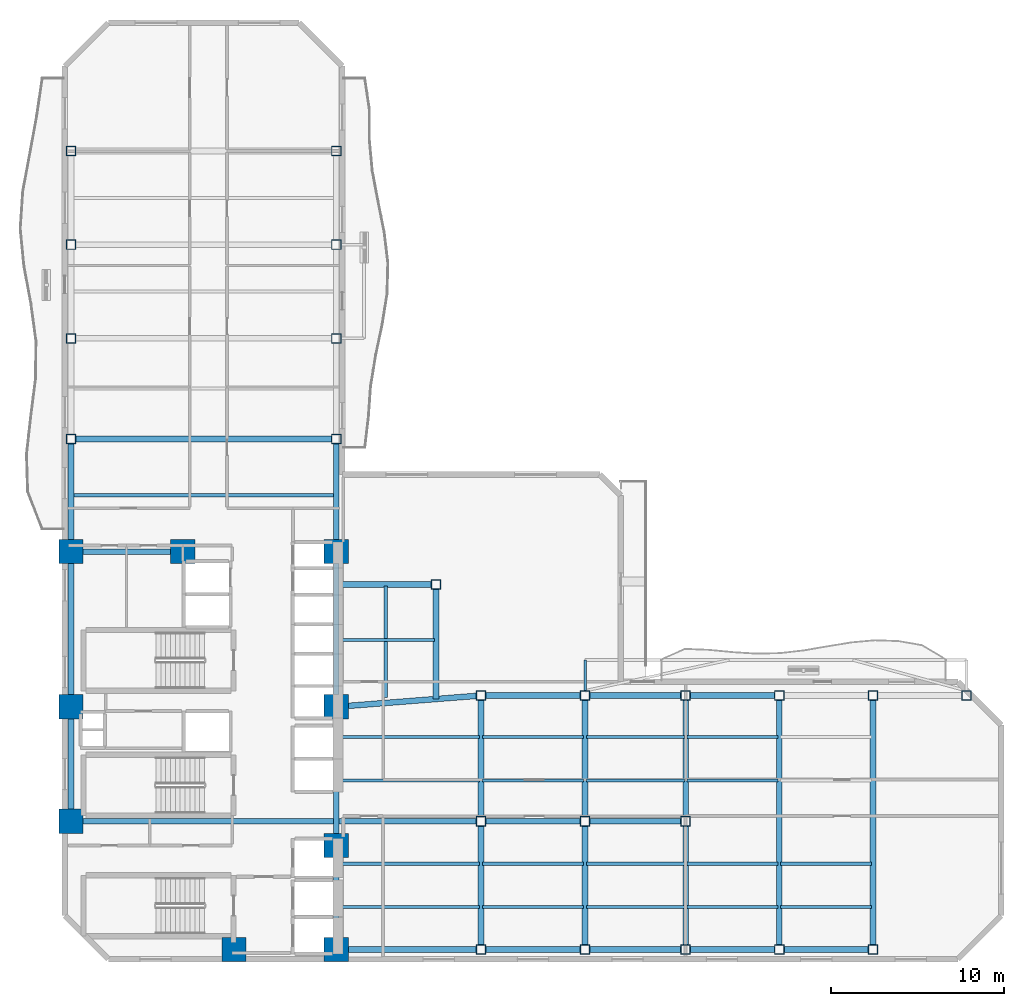
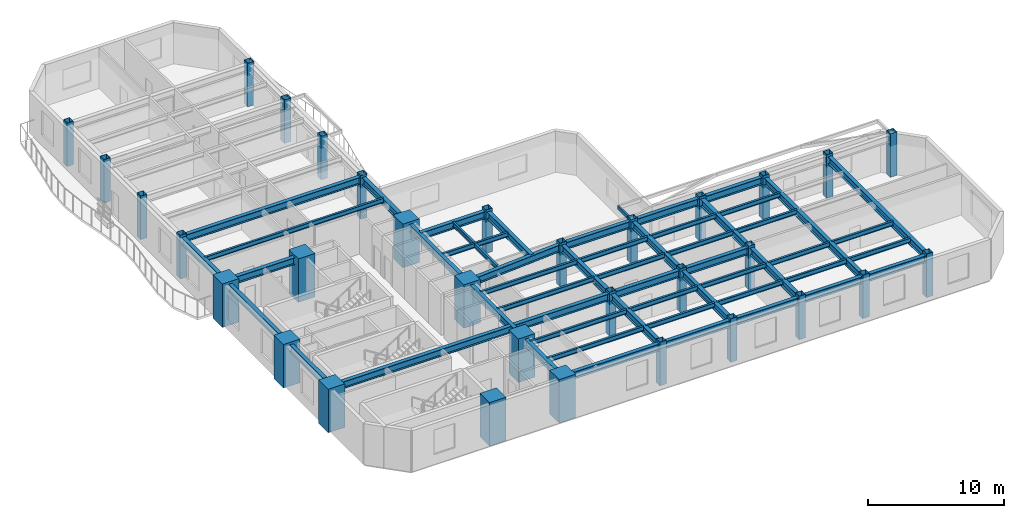
# One storey, part 1 of 10: 53 beams, 32 columns.
"""IFC4 building model written with IfcOpenShell, lengths in metres."""

import ifcopenshell
import ifcopenshell.guid

model = None  # the IFC model being written
_history = None  # IfcOwnerHistory: only IFC2X3 demands one
_inside = {}  # id of a spatial element -> (the spatial element, [elements in it])
_under = {}  # id of a project, library or spatial element -> (it, [spatial elements below it])
_declared = {}  # id of a project -> (the project, [libraries it declares])
_typed = {}  # id of a type object -> (the type object, [elements of that type])
_made_of = {}  # id of a material, layer set ... -> (it, [elements and type objects made of it])


def new_model(schema):
    """Start an empty IFC model of exactly this schema.

    Asked for "IFC4X3", IfcOpenShell would pick the latest addendum, in which some entities
    have other attributes; the version numbers below select the first issue.
    IFC2X3 requires an IfcOwnerHistory on every rooted entity: one is made here for all.
    """
    global model, _history
    if schema == "IFC4X3":
        model = ifcopenshell.file(schema_version=(4, 3, 0, 0))
    else:
        model = ifcopenshell.file(schema=schema)
    _inside.clear()
    _under.clear()
    _declared.clear()
    _typed.clear()
    _made_of.clear()
    _history = None
    if model.schema == "IFC2X3":
        org = make("IfcOrganization", Name="unknown")
        user = make(
            "IfcPersonAndOrganization",
            ThePerson=make("IfcPerson", FamilyName="unknown"),
            TheOrganization=org,
        )
        app = make(
            "IfcApplication",
            ApplicationDeveloper=org,
            Version="unknown",
            ApplicationFullName="unknown",
            ApplicationIdentifier="unknown",
        )
        _history = make(
            "IfcOwnerHistory",
            OwningUser=user,
            OwningApplication=app,
            ChangeAction="ADDED",
            CreationDate=0,
        )
    return model


def make(cls, **values):
    """One entity of the class cls with the attributes given. An attribute that is None is left unset."""
    return model.create_entity(
        cls, **{name: value for name, value in values.items() if value is not None}
    )


def rooted(cls, **values):
    """An entity with a GlobalId (a new one), such as an element, a storey or a relation."""
    return make(cls, GlobalId=ifcopenshell.guid.new(), OwnerHistory=_history, **values)


def si_unit(unit_type, name, prefix=None):
    """IfcSIUnit, for example si_unit("LENGTHUNIT", "METRE", prefix="MILLI")."""
    return make("IfcSIUnit", UnitType=unit_type, Prefix=prefix, Name=name)


def assignment(units):
    """IfcUnitAssignment: the units of a project."""
    return None if units is None else make("IfcUnitAssignment", Units=units)


def point(xyz):
    """IfcCartesianPoint."""
    return None if xyz is None else make("IfcCartesianPoint", Coordinates=xyz)


def direction(xyz):
    """IfcDirection."""
    return None if xyz is None else make("IfcDirection", DirectionRatios=xyz)


def frame(location, z_axis=None, x_axis=None):
    """IfcAxis2Placement3D, a coordinate frame: its origin and axes. An axis left out is left unset."""
    return make(
        "IfcAxis2Placement3D",
        Location=point(location),
        Axis=direction(z_axis),
        RefDirection=direction(x_axis),
    )


def frame_2d(location, x_axis=None):
    """IfcAxis2Placement2D, a coordinate frame in the plane: its origin and x axis."""
    return make(
        "IfcAxis2Placement2D", Location=point(location), RefDirection=direction(x_axis)
    )


def origin():
    """The frame at (0, 0, 0) with its axes left unset."""
    return frame((0.0, 0.0, 0.0))


def origin_2d():
    """The frame at (0, 0) in the plane with its x axis left unset."""
    return frame_2d((0.0, 0.0))


def place(relative_to, where):
    """IfcLocalPlacement: puts the frame where relative to a parent placement (None: the world)."""
    return make(
        "IfcLocalPlacement", PlacementRelTo=relative_to, RelativePlacement=where
    )


def context(
    kind, dimensions, precision=None, world=None, true_north=None, identifier=None
):
    """IfcGeometricRepresentationContext, for example the 3D "Model" context."""
    return make(
        "IfcGeometricRepresentationContext",
        ContextIdentifier=identifier,
        ContextType=kind,
        CoordinateSpaceDimension=dimensions,
        Precision=precision,
        WorldCoordinateSystem=world,
        TrueNorth=true_north,
    )


def subcontext(parent, identifier, kind, view, scale=None):
    """IfcGeometricRepresentationSubContext, for example "Body" below "Model"."""
    return make(
        "IfcGeometricRepresentationSubContext",
        ContextIdentifier=identifier,
        ContextType=kind,
        ParentContext=parent,
        TargetScale=scale,
        TargetView=view,
    )


def project(units=None, contexts=None):
    """IfcProject with its units and contexts."""
    return rooted(
        "IfcProject",
        Name="project",
        RepresentationContexts=contexts,
        UnitsInContext=assignment(units),
    )


def spatial(cls, under=None, at=None, **own):
    """A site, building, storey or space (cls), placed at a placement, below another one or the project."""
    s = rooted(cls, ObjectPlacement=at, **own)
    if under is not None:
        _under.setdefault(under.id(), (under, []))[1].append(s)
    return s


def profile(cls, at=None, kind="AREA", **sizes):
    """A parametric profile (cls). Its sizes go by their IFC names, for example OverallWidth=200.0."""
    return make(cls, ProfileType=kind, Position=at, **sizes)


def rectangle(**sizes):
    """IfcRectangleProfileDef."""
    return profile("IfcRectangleProfileDef", **sizes)


def hollow_rectangle(**sizes):
    """IfcRectangleHollowProfileDef."""
    return profile("IfcRectangleHollowProfileDef", **sizes)


def i_section(**sizes):
    """IfcIShapeProfileDef."""
    return profile("IfcIShapeProfileDef", **sizes)


def extrude(swept, where, along, depth):
    """IfcExtrudedAreaSolid: the profile swept, set in the frame where, extruded along a direction by depth."""
    return make(
        "IfcExtrudedAreaSolid",
        SweptArea=swept,
        Position=where,
        ExtrudedDirection=direction(along),
        Depth=depth,
    )


def shape(context_of_items, identifier, shape_type, items):
    """IfcShapeRepresentation: the items that make up one representation, for example the "Body"."""
    return make(
        "IfcShapeRepresentation",
        ContextOfItems=context_of_items,
        RepresentationIdentifier=identifier,
        RepresentationType=shape_type,
        Items=items,
    )


def material(Name=None, Category=None):
    """IfcMaterial."""
    return make("IfcMaterial", Name=Name, Category=Category)


def material_profile(
    of_material, cross_section, Name=None, Category=None, Priority=None
):
    """IfcMaterialProfile: a cross section and its material."""
    return make(
        "IfcMaterialProfile",
        Name=Name,
        Material=of_material,
        Profile=cross_section,
        Priority=Priority,
        Category=Category,
    )


def profile_set(profiles, Name=None, composite=None):
    """IfcMaterialProfileSet."""
    return make(
        "IfcMaterialProfileSet",
        Name=Name,
        MaterialProfiles=profiles,
        CompositeProfile=composite,
    )


def made_of(thing, what):
    """Note that an element or type object is made of a material, layer set ...; save() writes the relation."""
    if what is not None:
        _made_of.setdefault(what.id(), (what, []))[1].append(thing)
    return thing


def type_object(cls, material=None, **own):
    """A type object (cls), such as IfcWallType, which elements share."""
    return made_of(rooted(cls, **own), material)


def element(
    cls,
    number,
    at=None,
    inside=None,
    cuts=None,
    type_object=None,
    material=None,
    context=None,
    identifier="Body",
    shape_type=None,
    held_by="IfcProductDefinitionShape",
    body=None,
    shapes=None,
    **own,
):
    """One element of the class cls, such as IfcWall. Its Tag is "e" and its number.

    at: its placement. inside: the storey or other place that contains it. cuts: it is an
    opening in that element (IfcRelVoidsElement). A single representation is given by context,
    identifier, shape_type and body (its items); several are given by shapes. held_by: the class
    of the entity that holds the representations. save() writes the other relations.
    """
    e = rooted(cls, Tag="e%d" % number, ObjectPlacement=at, **own)
    if body is not None:
        shapes = [shape(context, identifier, shape_type, body)]
    if shapes is not None:
        e.Representation = make(held_by, Representations=shapes)
    if inside is not None:
        _inside.setdefault(inside.id(), (inside, []))[1].append(e)
    if cuts is not None:
        rooted(
            "IfcRelVoidsElement", RelatingBuildingElement=cuts, RelatedOpeningElement=e
        )
    if type_object is not None:
        _typed.setdefault(type_object.id(), (type_object, []))[1].append(e)
    return made_of(e, material)


def aggregate(whole, parts):
    """IfcRelAggregates: a whole, such as a stair, and the parts it consists of."""
    return rooted("IfcRelAggregates", RelatingObject=whole, RelatedObjects=parts)


def save(model, path):
    """Write the relations noted so far, then the file.

    IfcRelAggregates (storeys below a building ...), IfcRelContainedInSpatialStructure (elements
    in a storey), IfcRelDefinesByType, IfcRelAssociatesMaterial and IfcRelDeclares: one each for
    every whole, place, type object, material and project.
    """
    for whole, parts in _under.values():
        aggregate(whole, parts)
    for where, things in _inside.values():
        rooted(
            "IfcRelContainedInSpatialStructure",
            RelatedElements=things,
            RelatingStructure=where,
        )
    for kind, things in _typed.values():
        rooted("IfcRelDefinesByType", RelatedObjects=things, RelatingType=kind)
    for what, things in _made_of.values():
        rooted("IfcRelAssociatesMaterial", RelatedObjects=things, RelatingMaterial=what)
    for by, libraries in _declared.values():
        rooted("IfcRelDeclares", RelatingContext=by, RelatedDefinitions=libraries)
    model.write(path)


model = new_model("IFC4")

# Units and contexts
model_context = context("Model", 3, precision=1e-05, world=origin(), true_north=direction((0.0, 1.0)))
body_context = subcontext(model_context, "Body", "Model", "MODEL_VIEW")
ifc_project = project(units=[si_unit("LENGTHUNIT", "METRE"), si_unit("AREAUNIT", "SQUARE_METRE"), si_unit("VOLUMEUNIT", "CUBIC_METRE"), si_unit("PLANEANGLEUNIT", "RADIAN"), si_unit("MASSUNIT", "GRAM", prefix="KILO")], contexts=[model_context])

# Site, building, storey
site_placement = place(None, origin())
site = spatial("IfcSite", under=ifc_project, at=site_placement, CompositionType="ELEMENT")
building_placement = place(site_placement, origin())
building = spatial("IfcBuilding", under=site, at=building_placement, Name="Mawjaban Terraces University", CompositionType="ELEMENT")
storey_placement = place(building_placement, frame((0.0, 0.0, 42.699951171875)))
storey = spatial("IfcBuildingStorey", under=building, at=storey_placement, Name="L09", CompositionType="ELEMENT", Elevation=42.699951171875)

# Columns
ifc_material_1 = material(Name="Concrete C70/85", Category="concrete")
ifc_material_profile_1 = material_profile(ifc_material_1, rectangle(XDim=1.39990234375, YDim=1.39990234375, at=origin_2d()), Name="RC1400X1400")
ifc_profile_set_1 = profile_set([ifc_material_profile_1], Name="Concrete C70/85")
column_type_1 = type_object("IfcColumnType", Name="Col_RC1400X1400", PredefinedType="COLUMN", material=ifc_profile_set_1)
for number, where, z_axis, x_axis, name in (
    (1, (31.75, 0.550048828125, 0.0), (0.0, 0.0, 1.0), (1.0, 0.0, 0.0), "L09 Column CC2"),
    (2, (37.64990234375, 0.550048828125, 0.0), (0.0, 0.0, 1.0), (1.0, 0.0, 0.0), "L09 Column CC3"),
    (3, (22.35009765625, 7.949951171875, 0.0), (0.0, 0.0, 1.0), (1.0, 0.0, 0.0), "L09 Column CC4"),
    (4, (37.64990234375, 6.550048828125, 0.0), (0.0, 0.0, 1.0), (1.0, 0.0, 0.0), "L09 Column CC5"),
    (5, (22.35009765625, 14.550048828125, 0.0), (0.0, 0.0, 1.0), (1.0, 0.0, 0.0), "L09 Column CC6"),
    (6, (37.64990234375, 14.550048828125, 0.0), (0.0, 0.0, 1.0), (1.0, 0.0, 0.0), "L09 Column CC7"),
    (7, (22.35009765625, 23.5, 0.0), (0.0, 0.0, 1.0), (1.0, 0.0, 0.0), "L09 Column CC8"),
    (8, (28.800048828125, 23.5, 0.0), (0.0, 0.0, 1.0), (1.0, 0.0, 0.0), "L09 Column CC9"),
    (9, (37.64990234375, 23.5, 0.0), (0.0, 0.0, 1.0), (1.0, 0.0, 0.0), "L09 Column CC10"),
):
    element("IfcColumn", number, at=place(storey_placement, frame(where, z_axis=z_axis, x_axis=x_axis)), inside=storey, type_object=column_type_1, Name=name, PredefinedType="COLUMN", context=body_context, shape_type="SweptSolid", body=[
        extrude(rectangle(XDim=1.39990234375, YDim=1.39990234375, at=origin_2d()), origin(), (0.0, 0.0, 1.0), 3.900146484375),
    ])
ifc_material_2 = material(Name="Steel EN 10210-1 S355J2H", Category="steel")
ifc_material_profile_2 = material_profile(ifc_material_2, hollow_rectangle(XDim=0.550048828125, YDim=0.550048828125, WallThickness=0.02490234375, at=origin_2d()), Name="SHS550X550X25")
ifc_profile_set_2 = profile_set([ifc_material_profile_2], Name="Steel EN 10210-1 S355J2H")
column_type_2 = type_object("IfcColumnType", Name="Col_SHS550X550X25", PredefinedType="COLUMN", material=ifc_profile_set_2)
for number, where, z_axis, x_axis, name in (
    (10, (46.0, 0.550048828125, 0.0), (0.0, 0.0, 1.0), (1.0, 0.0, 0.0), "L09 Column TE-460-005"),
    (11, (46.0, 7.949951171875, 0.0), (0.0, 0.0, 1.0), (1.0, 0.0, 0.0), "L09 Column TE-460-080"),
    (12, (46.0, 15.199951171875, 0.0), (0.0, 0.0, 1.0), (1.0, 0.0, 0.0), "L09 Column TE-460-152"),
    (13, (52.0, 0.550048828125, 0.0), (0.0, 0.0, 1.0), (1.0, 0.0, 0.0), "L09 Column TE-520-005"),
    (14, (52.0, 7.949951171875, 0.0), (0.0, 0.0, 1.0), (1.0, 0.0, 0.0), "L09 Column TE-520-080"),
    (15, (52.0, 15.199951171875, 0.0), (0.0, 0.0, 1.0), (1.0, 0.0, 0.0), "L09 Column TE-520-152"),
    (16, (57.800048828125, 0.550048828125, 0.0), (0.0, 0.0, 1.0), (1.0, 0.0, 0.0), "L09 Column TE-578-005"),
    (17, (57.800048828125, 7.949951171875, 0.0), (0.0, 0.0, 1.0), (1.0, 0.0, 0.0), "L09 Column TE-578-080"),
    (18, (57.800048828125, 15.199951171875, 0.0), (0.0, 0.0, 1.0), (1.0, 0.0, 0.0), "L09 Column TE-578-152"),
    (19, (63.199951171875, 0.550048828125, 0.0), (0.0, 0.0, 1.0), (1.0, 0.0, 0.0), "L09 Column TE-632-005"),
    (20, (63.199951171875, 15.199951171875, 0.0), (0.0, 0.0, 1.0), (1.0, 0.0, 0.0), "L09 Column TE-632-152"),
    (21, (68.60009765625, 0.550048828125, 0.0), (0.0, 0.0, 1.0), (1.0, 0.0, 0.0), "L09 Column TE-686-005"),
    (22, (68.60009765625, 15.199951171875, 0.0), (0.0, 0.0, 1.0), (1.0, 0.0, 0.0), "L09 Column TE-686-152"),
    (23, (74.0, 15.199951171875, 0.0), (0.0, 0.0, 1.0), (1.0, 0.0, 0.0), "L09 Column TE-740-152"),
    (24, (22.35009765625, 30.0, 0.0), (0.0, 0.0, 1.0), (1.0, 0.0, 0.0), "L09 Column TN-223-300"),
    (25, (37.64990234375, 30.0, 0.0), (0.0, 0.0, 1.0), (1.0, 0.0, 0.0), "L09 Column TN-376-300"),
    (26, (22.35009765625, 35.800048828125, 0.0), (0.0, 0.0, 1.0), (1.0, 0.0, 0.0), "L09 Column TN-223-358"),
    (27, (37.64990234375, 35.800048828125, 0.0), (0.0, 0.0, 1.0), (1.0, 0.0, 0.0), "L09 Column TN-376-358"),
    (28, (22.35009765625, 41.199951171875, 0.0), (0.0, 0.0, 1.0), (1.0, 0.0, 0.0), "L09 Column TN-223-412"),
    (29, (37.64990234375, 41.199951171875, 0.0), (0.0, 0.0, 1.0), (1.0, 0.0, 0.0), "L09 Column TN-376-412"),
    (30, (22.35009765625, 46.60009765625, 0.0), (0.0, 0.0, 1.0), (1.0, 0.0, 0.0), "L09 Column TN-223-466"),
    (31, (37.64990234375, 46.60009765625, 0.0), (0.0, 0.0, 1.0), (1.0, 0.0, 0.0), "L09 Column TN-376-466"),
    (32, (43.39990234375, 21.60009765625, 0.0), (0.0, 0.0, 1.0), (1.0, 0.0, 0.0), "L09 Column TS-434-216"),
):
    element("IfcColumn", number, at=place(storey_placement, frame(where, z_axis=z_axis, x_axis=x_axis)), inside=storey, type_object=column_type_2, Name=name, PredefinedType="COLUMN", context=body_context, shape_type="SweptSolid", body=[
        extrude(hollow_rectangle(XDim=0.550048828125, YDim=0.550048828125, WallThickness=0.02490234375, at=origin_2d()), origin(), (0.0, 0.0, 1.0), 3.900146484375),
    ])

# Beams
ifc_material_profile_3 = material_profile(ifc_material_2, hollow_rectangle(XDim=0.14990234375, YDim=0.300048828125, WallThickness=0.012451171875, at=origin_2d()), Name="RHS300X150X12.5")
ifc_profile_set_3 = profile_set([ifc_material_profile_3], Name="Steel EN 10210-1 S355J2H")
beam_type_1 = type_object("IfcBeamType", Name="BalconyCantileverSpandrel_RHS", PredefinedType="SPANDREL", material=ifc_profile_set_3)
beam_1_placement = place(storey_placement, frame((52.0, 15.47509765625, 3.5400390625), z_axis=(0.0, 1.0, 0.0), x_axis=(-1.0, 0.0, 0.0)))
element("IfcBeam", 33, at=beam_1_placement, inside=storey, type_object=beam_type_1, Name="L09 Exterior Outrigger BAL-L10-N.1", PredefinedType="SPANDREL", context=body_context, shape_type="SweptSolid", body=[
    extrude(hollow_rectangle(XDim=0.14990234375, YDim=0.300048828125, WallThickness=0.012451171875, at=origin_2d()), origin(), (0.0, 0.0, 1.0), 1.77490234375),
])
ifc_material_3 = material(Name="Steel ASTM A572 Grade 50", Category="steel")
ifc_material_profile_4 = material_profile(ifc_material_3, i_section(OverallWidth=0.3291015625, OverallDepth=0.635009765625, WebThickness=0.017822265625, FlangeThickness=0.031005859375, at=origin_2d()), Name="W610X241")
ifc_profile_set_4 = profile_set([ifc_material_profile_4], Name="Steel ASTM A572 Grade 50")
beam_type_2 = type_object("IfcBeamType", Name="Beam_B_W610X241", PredefinedType="BEAM", material=ifc_profile_set_4)
beam_2_placement = place(storey_placement, frame((38.35009765625, 0.550048828125, 3.3720703125), z_axis=(1.0, 0.0, 0.0), x_axis=(0.0, 1.0, 0.0)))
element("IfcBeam", 34, at=beam_2_placement, inside=storey, type_object=beam_type_2, Name="L09 Beam BM-L09-EW-01", PredefinedType="BEAM", context=body_context, shape_type="SweptSolid", body=[
    extrude(i_section(OverallWidth=0.3291015625, OverallDepth=0.635009765625, WebThickness=0.017822265625, FlangeThickness=0.031005859375, at=origin_2d()), origin(), (0.0, 0.0, 1.0), 7.375),
])
beam_3_placement = place(storey_placement, frame((46.27490234375, 0.550048828125, 3.3720703125), z_axis=(1.0, 0.0, 0.0), x_axis=(0.0, 1.0, 0.0)))
element("IfcBeam", 35, at=beam_3_placement, inside=storey, type_object=beam_type_2, Name="L09 Beam BM-L09-EW-02", PredefinedType="BEAM", context=body_context, shape_type="SweptSolid", body=[
    extrude(i_section(OverallWidth=0.3291015625, OverallDepth=0.635009765625, WebThickness=0.017822265625, FlangeThickness=0.031005859375, at=origin_2d()), origin(), (0.0, 0.0, 1.0), 5.4501953125),
])
beam_4_placement = place(storey_placement, frame((52.27490234375, 0.550048828125, 3.3720703125), z_axis=(1.0, 0.0, 0.0), x_axis=(0.0, 1.0, 0.0)))
element("IfcBeam", 36, at=beam_4_placement, inside=storey, type_object=beam_type_2, Name="L09 Beam BM-L09-EW-03", PredefinedType="BEAM", context=body_context, shape_type="SweptSolid", body=[
    extrude(i_section(OverallWidth=0.3291015625, OverallDepth=0.635009765625, WebThickness=0.017822265625, FlangeThickness=0.031005859375, at=origin_2d()), origin(), (0.0, 0.0, 1.0), 5.25),
])
beam_5_placement = place(storey_placement, frame((58.074951171875, 0.550048828125, 3.3720703125), z_axis=(1.0, 0.0, 0.0), x_axis=(0.0, 1.0, 0.0)))
element("IfcBeam", 37, at=beam_5_placement, inside=storey, type_object=beam_type_2, Name="L09 Beam BM-L09-EW-04", PredefinedType="BEAM", context=body_context, shape_type="SweptSolid", body=[
    extrude(i_section(OverallWidth=0.3291015625, OverallDepth=0.635009765625, WebThickness=0.017822265625, FlangeThickness=0.031005859375, at=origin_2d()), origin(), (0.0, 0.0, 1.0), 4.85009765625),
])
beam_6_placement = place(storey_placement, frame((63.47509765625, 0.550048828125, 3.3720703125), z_axis=(1.0, 0.0, 0.0), x_axis=(0.0, 1.0, 0.0)))
element("IfcBeam", 38, at=beam_6_placement, inside=storey, type_object=beam_type_2, Name="L09 Beam BM-L09-EW-05", PredefinedType="BEAM", context=body_context, shape_type="SweptSolid", body=[
    extrude(i_section(OverallWidth=0.3291015625, OverallDepth=0.635009765625, WebThickness=0.017822265625, FlangeThickness=0.031005859375, at=origin_2d()), origin(), (0.0, 0.0, 1.0), 4.849853515625),
])
beam_7_placement = place(storey_placement, frame((23.050048828125, 7.949951171875, 3.3720703125), z_axis=(1.0, 0.0, 0.0), x_axis=(0.0, 1.0, 0.0)))
element("IfcBeam", 39, at=beam_7_placement, inside=storey, type_object=beam_type_2, Name="L09 Beam BM-L09-EW-06", PredefinedType="BEAM", context=body_context, shape_type="SweptSolid", body=[
    extrude(i_section(OverallWidth=0.3291015625, OverallDepth=0.635009765625, WebThickness=0.017822265625, FlangeThickness=0.031005859375, at=origin_2d()), origin(), (0.0, 0.0, 1.0), 22.675048828125),
])
beam_8_placement = place(storey_placement, frame((46.27490234375, 7.949951171875, 3.3720703125), z_axis=(1.0, 0.0, 0.0), x_axis=(0.0, 1.0, 0.0)))
element("IfcBeam", 40, at=beam_8_placement, inside=storey, type_object=beam_type_2, Name="L09 Beam BM-L09-EW-07", PredefinedType="BEAM", context=body_context, shape_type="SweptSolid", body=[
    extrude(i_section(OverallWidth=0.3291015625, OverallDepth=0.635009765625, WebThickness=0.017822265625, FlangeThickness=0.031005859375, at=origin_2d()), origin(), (0.0, 0.0, 1.0), 5.4501953125),
])
beam_9_placement = place(storey_placement, frame((52.27490234375, 7.949951171875, 3.3720703125), z_axis=(1.0, 0.0, 0.0), x_axis=(0.0, 1.0, 0.0)))
element("IfcBeam", 41, at=beam_9_placement, inside=storey, type_object=beam_type_2, Name="L09 Beam BM-L09-EW-08", PredefinedType="BEAM", context=body_context, shape_type="SweptSolid", body=[
    extrude(i_section(OverallWidth=0.3291015625, OverallDepth=0.635009765625, WebThickness=0.017822265625, FlangeThickness=0.031005859375, at=origin_2d()), origin(), (0.0, 0.0, 1.0), 5.25),
])
beam_10_placement = place(storey_placement, frame((46.27490234375, 15.199951171875, 3.3720703125), z_axis=(1.0, 0.0, 0.0), x_axis=(0.0, 1.0, 0.0)))
element("IfcBeam", 42, at=beam_10_placement, inside=storey, type_object=beam_type_2, Name="L09 Beam BM-L09-EW-09", PredefinedType="BEAM", context=body_context, shape_type="SweptSolid", body=[
    extrude(i_section(OverallWidth=0.3291015625, OverallDepth=0.635009765625, WebThickness=0.017822265625, FlangeThickness=0.031005859375, at=origin_2d()), origin(), (0.0, 0.0, 1.0), 5.4501953125),
])
beam_11_placement = place(storey_placement, frame((52.27490234375, 15.199951171875, 3.3720703125), z_axis=(1.0, 0.0, 0.0), x_axis=(0.0, 1.0, 0.0)))
element("IfcBeam", 43, at=beam_11_placement, inside=storey, type_object=beam_type_2, Name="L09 Beam BM-L09-EW-10", PredefinedType="BEAM", context=body_context, shape_type="SweptSolid", body=[
    extrude(i_section(OverallWidth=0.3291015625, OverallDepth=0.635009765625, WebThickness=0.017822265625, FlangeThickness=0.031005859375, at=origin_2d()), origin(), (0.0, 0.0, 1.0), 5.25),
])
beam_12_placement = place(storey_placement, frame((58.074951171875, 15.199951171875, 3.3720703125), z_axis=(1.0, 0.0, 0.0), x_axis=(0.0, 1.0, 0.0)))
element("IfcBeam", 44, at=beam_12_placement, inside=storey, type_object=beam_type_2, Name="L09 Beam BM-L09-EW-11", PredefinedType="BEAM", context=body_context, shape_type="SweptSolid", body=[
    extrude(i_section(OverallWidth=0.3291015625, OverallDepth=0.635009765625, WebThickness=0.017822265625, FlangeThickness=0.031005859375, at=origin_2d()), origin(), (0.0, 0.0, 1.0), 4.85009765625),
])
beam_13_placement = place(storey_placement, frame((23.050048828125, 23.5, 3.3720703125), z_axis=(1.0, 0.0, 0.0), x_axis=(0.0, 1.0, 0.0)))
element("IfcBeam", 45, at=beam_13_placement, inside=storey, type_object=beam_type_2, Name="L09 Beam BM-L09-EW-14", PredefinedType="BEAM", context=body_context, shape_type="SweptSolid", body=[
    extrude(i_section(OverallWidth=0.3291015625, OverallDepth=0.635009765625, WebThickness=0.017822265625, FlangeThickness=0.031005859375, at=origin_2d()), origin(), (0.0, 0.0, 1.0), 5.050048828125),
])
beam_14_placement = place(storey_placement, frame((22.625, 30.0, 3.3720703125), z_axis=(1.0, 0.0, 0.0), x_axis=(0.0, 1.0, 0.0)))
element("IfcBeam", 46, at=beam_14_placement, inside=storey, type_object=beam_type_2, Name="L09 Beam BM-L09-EW-15", PredefinedType="BEAM", context=body_context, shape_type="SweptSolid", body=[
    extrude(i_section(OverallWidth=0.3291015625, OverallDepth=0.635009765625, WebThickness=0.017822265625, FlangeThickness=0.031005859375, at=origin_2d()), origin(), (0.0, 0.0, 1.0), 14.75),
])
beam_15_placement = place(storey_placement, frame((22.35009765625, 8.64990234375, 3.3720703125), z_axis=(0.0, 1.0, 0.0), x_axis=(-1.0, 0.0, 0.0)))
element("IfcBeam", 47, at=beam_15_placement, inside=storey, type_object=beam_type_2, Name="L09 Beam BM-L09-NS-01", PredefinedType="BEAM", context=body_context, shape_type="SweptSolid", body=[
    extrude(i_section(OverallWidth=0.3291015625, OverallDepth=0.635009765625, WebThickness=0.017822265625, FlangeThickness=0.031005859375, at=origin_2d()), origin(), (0.0, 0.0, 1.0), 5.2001953125),
])
beam_16_placement = place(storey_placement, frame((22.35009765625, 15.25, 3.3720703125), z_axis=(0.0, 1.0, 0.0), x_axis=(-1.0, 0.0, 0.0)))
element("IfcBeam", 48, at=beam_16_placement, inside=storey, type_object=beam_type_2, Name="L09 Beam BM-L09-NS-02", PredefinedType="BEAM", context=body_context, shape_type="SweptSolid", body=[
    extrude(i_section(OverallWidth=0.3291015625, OverallDepth=0.635009765625, WebThickness=0.017822265625, FlangeThickness=0.031005859375, at=origin_2d()), origin(), (0.0, 0.0, 1.0), 7.550048828125),
])
beam_17_placement = place(storey_placement, frame((22.35009765625, 24.199951171875, 3.3720703125), z_axis=(0.0, 1.0, 0.0), x_axis=(-1.0, 0.0, 0.0)))
element("IfcBeam", 49, at=beam_17_placement, inside=storey, type_object=beam_type_2, Name="L09 Beam BM-L09-NS-03", PredefinedType="BEAM", context=body_context, shape_type="SweptSolid", body=[
    extrude(i_section(OverallWidth=0.3291015625, OverallDepth=0.635009765625, WebThickness=0.017822265625, FlangeThickness=0.031005859375, at=origin_2d()), origin(), (0.0, 0.0, 1.0), 5.525146484375),
])
beam_18_placement = place(storey_placement, frame((37.64990234375, 1.25, 3.3720703125), z_axis=(0.0, 1.0, 0.0), x_axis=(-1.0, 0.0, 0.0)))
element("IfcBeam", 50, at=beam_18_placement, inside=storey, type_object=beam_type_2, Name="L09 Beam BM-L09-NS-07", PredefinedType="BEAM", context=body_context, shape_type="SweptSolid", body=[
    extrude(i_section(OverallWidth=0.3291015625, OverallDepth=0.635009765625, WebThickness=0.017822265625, FlangeThickness=0.031005859375, at=origin_2d()), origin(), (0.0, 0.0, 1.0), 4.60009765625),
])
beam_19_placement = place(storey_placement, frame((37.64990234375, 7.25, 3.3720703125), z_axis=(0.0, 1.0, 0.0), x_axis=(-1.0, 0.0, 0.0)))
element("IfcBeam", 51, at=beam_19_placement, inside=storey, type_object=beam_type_2, Name="L09 Beam BM-L09-NS-08", PredefinedType="BEAM", context=body_context, shape_type="SweptSolid", body=[
    extrude(i_section(OverallWidth=0.3291015625, OverallDepth=0.635009765625, WebThickness=0.017822265625, FlangeThickness=0.031005859375, at=origin_2d()), origin(), (0.0, 0.0, 1.0), 6.60009765625),
])
beam_20_placement = place(storey_placement, frame((37.64990234375, 15.25, 3.3720703125), z_axis=(0.0, 1.0, 0.0), x_axis=(-1.0, 0.0, 0.0)))
element("IfcBeam", 52, at=beam_20_placement, inside=storey, type_object=beam_type_2, Name="L09 Beam BM-L09-NS-09", PredefinedType="BEAM", context=body_context, shape_type="SweptSolid", body=[
    extrude(i_section(OverallWidth=0.3291015625, OverallDepth=0.635009765625, WebThickness=0.017822265625, FlangeThickness=0.031005859375, at=origin_2d()), origin(), (0.0, 0.0, 1.0), 7.550048828125),
])
beam_21_placement = place(storey_placement, frame((37.64990234375, 24.199951171875, 3.3720703125), z_axis=(0.0, 1.0, 0.0), x_axis=(-1.0, 0.0, 0.0)))
element("IfcBeam", 53, at=beam_21_placement, inside=storey, type_object=beam_type_2, Name="L09 Beam BM-L09-NS-10", PredefinedType="BEAM", context=body_context, shape_type="SweptSolid", body=[
    extrude(i_section(OverallWidth=0.3291015625, OverallDepth=0.635009765625, WebThickness=0.017822265625, FlangeThickness=0.031005859375, at=origin_2d()), origin(), (0.0, 0.0, 1.0), 5.525146484375),
])
beam_22_placement = place(storey_placement, frame((46.0, 0.824951171875, 3.3720703125), z_axis=(0.0, 1.0, 0.0), x_axis=(-1.0, 0.0, 0.0)))
element("IfcBeam", 54, at=beam_22_placement, inside=storey, type_object=beam_type_2, Name="L09 Beam BM-L09-NS-14", PredefinedType="BEAM", context=body_context, shape_type="SweptSolid", body=[
    extrude(i_section(OverallWidth=0.3291015625, OverallDepth=0.635009765625, WebThickness=0.017822265625, FlangeThickness=0.031005859375, at=origin_2d()), origin(), (0.0, 0.0, 1.0), 6.85009765625),
])
beam_23_placement = place(storey_placement, frame((46.0, 8.22509765625, 3.3720703125), z_axis=(0.0, 1.0, 0.0), x_axis=(-1.0, 0.0, 0.0)))
element("IfcBeam", 55, at=beam_23_placement, inside=storey, type_object=beam_type_2, Name="L09 Beam BM-L09-NS-15", PredefinedType="BEAM", context=body_context, shape_type="SweptSolid", body=[
    extrude(i_section(OverallWidth=0.3291015625, OverallDepth=0.635009765625, WebThickness=0.017822265625, FlangeThickness=0.031005859375, at=origin_2d()), origin(), (0.0, 0.0, 1.0), 6.699951171875),
])
beam_24_placement = place(storey_placement, frame((52.0, 0.824951171875, 3.3720703125), z_axis=(0.0, 1.0, 0.0), x_axis=(-1.0, 0.0, 0.0)))
element("IfcBeam", 56, at=beam_24_placement, inside=storey, type_object=beam_type_2, Name="L09 Beam BM-L09-NS-16", PredefinedType="BEAM", context=body_context, shape_type="SweptSolid", body=[
    extrude(i_section(OverallWidth=0.3291015625, OverallDepth=0.635009765625, WebThickness=0.017822265625, FlangeThickness=0.031005859375, at=origin_2d()), origin(), (0.0, 0.0, 1.0), 6.85009765625),
])
beam_25_placement = place(storey_placement, frame((52.0, 8.22509765625, 3.3720703125), z_axis=(0.0, 1.0, 0.0), x_axis=(-1.0, 0.0, 0.0)))
element("IfcBeam", 57, at=beam_25_placement, inside=storey, type_object=beam_type_2, Name="L09 Beam BM-L09-NS-17", PredefinedType="BEAM", context=body_context, shape_type="SweptSolid", body=[
    extrude(i_section(OverallWidth=0.3291015625, OverallDepth=0.635009765625, WebThickness=0.017822265625, FlangeThickness=0.031005859375, at=origin_2d()), origin(), (0.0, 0.0, 1.0), 6.699951171875),
])
beam_26_placement = place(storey_placement, frame((57.800048828125, 0.824951171875, 3.3720703125), z_axis=(0.0, 1.0, 0.0), x_axis=(-1.0, 0.0, 0.0)))
element("IfcBeam", 58, at=beam_26_placement, inside=storey, type_object=beam_type_2, Name="L09 Beam BM-L09-NS-18", PredefinedType="BEAM", context=body_context, shape_type="SweptSolid", body=[
    extrude(i_section(OverallWidth=0.3291015625, OverallDepth=0.635009765625, WebThickness=0.017822265625, FlangeThickness=0.031005859375, at=origin_2d()), origin(), (0.0, 0.0, 1.0), 6.85009765625),
])
beam_27_placement = place(storey_placement, frame((57.800048828125, 8.22509765625, 3.3720703125), z_axis=(0.0, 1.0, 0.0), x_axis=(-1.0, 0.0, 0.0)))
element("IfcBeam", 59, at=beam_27_placement, inside=storey, type_object=beam_type_2, Name="L09 Beam BM-L09-NS-19", PredefinedType="BEAM", context=body_context, shape_type="SweptSolid", body=[
    extrude(i_section(OverallWidth=0.3291015625, OverallDepth=0.635009765625, WebThickness=0.017822265625, FlangeThickness=0.031005859375, at=origin_2d()), origin(), (0.0, 0.0, 1.0), 6.699951171875),
])
for number, where, z_axis, x_axis, name in (
    (60, (63.199951171875, 0.824951171875, 3.3720703125), (0.0, 1.0, 0.0), (-1.0, 0.0, 0.0), "L09 Beam BM-L09-NS-20"),
    (61, (68.60009765625, 0.824951171875, 3.3720703125), (0.0, 1.0, 0.0), (-1.0, 0.0, 0.0), "L09 Beam BM-L09-NS-21"),
):
    element("IfcBeam", number, at=place(storey_placement, frame(where, z_axis=z_axis, x_axis=x_axis)), inside=storey, type_object=beam_type_2, Name=name, PredefinedType="BEAM", context=body_context, shape_type="SweptSolid", body=[
        extrude(i_section(OverallWidth=0.3291015625, OverallDepth=0.635009765625, WebThickness=0.017822265625, FlangeThickness=0.031005859375, at=origin_2d()), origin(), (0.0, 0.0, 1.0), 14.10009765625),
    ])
beam_28_placement = place(storey_placement, frame((38.347900390625, 14.60400390625, 3.3720703125), z_axis=(0.996977531908, 0.077690416851, 0.0), x_axis=(-0.077690416851, 0.996977531908, 0.0)))
element("IfcBeam", 62, at=beam_28_placement, inside=storey, type_object=beam_type_2, Name="L09 Beam BM-L09-CTIE", PredefinedType="BEAM", context=body_context, shape_type="SweptSolid", body=[
    extrude(i_section(OverallWidth=0.3291015625, OverallDepth=0.635009765625, WebThickness=0.017822265625, FlangeThickness=0.031005859375, at=origin_2d()), origin(), (0.0, 0.0, 1.0), 7.400634765625),
])
beam_29_placement = place(storey_placement, frame((37.679931640625, 21.60009765625, 3.3720703125), z_axis=(1.0, 0.0, 0.0), x_axis=(0.0, 1.0, 0.0)))
element("IfcBeam", 63, at=beam_29_placement, inside=storey, type_object=beam_type_2, Name="L09 Spur Tie Girder West", PredefinedType="BEAM", context=body_context, shape_type="SweptSolid", body=[
    extrude(i_section(OverallWidth=0.3291015625, OverallDepth=0.635009765625, WebThickness=0.017822265625, FlangeThickness=0.031005859375, at=origin_2d()), origin(), (0.0, 0.0, 1.0), 5.445068359375),
])
beam_30_placement = place(storey_placement, frame((43.39990234375, 15.0, 3.3720703125), z_axis=(0.0, 1.0, 0.0), x_axis=(-1.0, 0.0, 0.0)))
element("IfcBeam", 64, at=beam_30_placement, inside=storey, type_object=beam_type_2, Name="L09 Spur Tie Girder South", PredefinedType="BEAM", context=body_context, shape_type="SweptSolid", body=[
    extrude(i_section(OverallWidth=0.3291015625, OverallDepth=0.635009765625, WebThickness=0.017822265625, FlangeThickness=0.031005859375, at=origin_2d()), origin(), (0.0, 0.0, 1.0), 6.324951171875),
])
ifc_material_profile_5 = material_profile(ifc_material_3, i_section(OverallWidth=0.179931640625, OverallDepth=0.4130859375, WebThickness=0.009765625, FlangeThickness=0.01611328125, at=origin_2d()), Name="W410X74")
ifc_profile_set_5 = profile_set([ifc_material_profile_5], Name="Steel ASTM A572 Grade 50")
beam_type_3 = type_object("IfcBeamType", Name="Beam_J_W410X74", PredefinedType="JOIST", material=ifc_profile_set_5)
beam_31_placement = place(storey_placement, frame((37.72998046875, 3.0, 3.484130859375), z_axis=(1.0, 0.0, 0.0), x_axis=(0.0, 1.0, 0.0)))
element("IfcBeam", 65, at=beam_31_placement, inside=storey, type_object=beam_type_3, Name="L09 Composite Joist JST-L09-01", PredefinedType="JOIST", context=body_context, shape_type="SweptSolid", body=[
    extrude(i_section(OverallWidth=0.179931640625, OverallDepth=0.4130859375, WebThickness=0.009765625, FlangeThickness=0.01611328125, at=origin_2d()), origin(), (0.0, 0.0, 1.0), 8.18994140625),
])
beam_32_placement = place(storey_placement, frame((46.080078125, 3.0, 3.484130859375), z_axis=(1.0, 0.0, 0.0), x_axis=(0.0, 1.0, 0.0)))
element("IfcBeam", 66, at=beam_32_placement, inside=storey, type_object=beam_type_3, Name="L09 Composite Joist JST-L09-02", PredefinedType="JOIST", context=body_context, shape_type="SweptSolid", body=[
    extrude(i_section(OverallWidth=0.179931640625, OverallDepth=0.4130859375, WebThickness=0.009765625, FlangeThickness=0.01611328125, at=origin_2d()), origin(), (0.0, 0.0, 1.0), 5.83984375),
])
beam_33_placement = place(storey_placement, frame((52.080078125, 3.0, 3.484130859375), z_axis=(1.0, 0.0, 0.0), x_axis=(0.0, 1.0, 0.0)))
element("IfcBeam", 67, at=beam_33_placement, inside=storey, type_object=beam_type_3, Name="L09 Composite Joist JST-L09-03", PredefinedType="JOIST", context=body_context, shape_type="SweptSolid", body=[
    extrude(i_section(OverallWidth=0.179931640625, OverallDepth=0.4130859375, WebThickness=0.009765625, FlangeThickness=0.01611328125, at=origin_2d()), origin(), (0.0, 0.0, 1.0), 5.639892578125),
])
beam_34_placement = place(storey_placement, frame((57.8798828125, 3.0, 3.484130859375), z_axis=(1.0, 0.0, 0.0), x_axis=(0.0, 1.0, 0.0)))
element("IfcBeam", 68, at=beam_34_placement, inside=storey, type_object=beam_type_3, Name="L09 Composite Joist JST-L09-04", PredefinedType="JOIST", context=body_context, shape_type="SweptSolid", body=[
    extrude(i_section(OverallWidth=0.179931640625, OverallDepth=0.4130859375, WebThickness=0.009765625, FlangeThickness=0.01611328125, at=origin_2d()), origin(), (0.0, 0.0, 1.0), 5.240234375),
])
beam_35_placement = place(storey_placement, frame((63.280029296875, 3.0, 3.484130859375), z_axis=(1.0, 0.0, 0.0), x_axis=(0.0, 1.0, 0.0)))
element("IfcBeam", 69, at=beam_35_placement, inside=storey, type_object=beam_type_3, Name="L09 Composite Joist JST-L09-05", PredefinedType="JOIST", context=body_context, shape_type="SweptSolid", body=[
    extrude(i_section(OverallWidth=0.179931640625, OverallDepth=0.4130859375, WebThickness=0.009765625, FlangeThickness=0.01611328125, at=origin_2d()), origin(), (0.0, 0.0, 1.0), 5.239990234375),
])
beam_36_placement = place(storey_placement, frame((37.72998046875, 5.5, 3.484130859375), z_axis=(1.0, 0.0, 0.0), x_axis=(0.0, 1.0, 0.0)))
element("IfcBeam", 70, at=beam_36_placement, inside=storey, type_object=beam_type_3, Name="L09 Composite Joist JST-L09-06", PredefinedType="JOIST", context=body_context, shape_type="SweptSolid", body=[
    extrude(i_section(OverallWidth=0.179931640625, OverallDepth=0.4130859375, WebThickness=0.009765625, FlangeThickness=0.01611328125, at=origin_2d()), origin(), (0.0, 0.0, 1.0), 8.18994140625),
])
beam_37_placement = place(storey_placement, frame((46.080078125, 5.5, 3.484130859375), z_axis=(1.0, 0.0, 0.0), x_axis=(0.0, 1.0, 0.0)))
element("IfcBeam", 71, at=beam_37_placement, inside=storey, type_object=beam_type_3, Name="L09 Composite Joist JST-L09-07", PredefinedType="JOIST", context=body_context, shape_type="SweptSolid", body=[
    extrude(i_section(OverallWidth=0.179931640625, OverallDepth=0.4130859375, WebThickness=0.009765625, FlangeThickness=0.01611328125, at=origin_2d()), origin(), (0.0, 0.0, 1.0), 5.83984375),
])
beam_38_placement = place(storey_placement, frame((52.080078125, 5.5, 3.484130859375), z_axis=(1.0, 0.0, 0.0), x_axis=(0.0, 1.0, 0.0)))
element("IfcBeam", 72, at=beam_38_placement, inside=storey, type_object=beam_type_3, Name="L09 Composite Joist JST-L09-08", PredefinedType="JOIST", context=body_context, shape_type="SweptSolid", body=[
    extrude(i_section(OverallWidth=0.179931640625, OverallDepth=0.4130859375, WebThickness=0.009765625, FlangeThickness=0.01611328125, at=origin_2d()), origin(), (0.0, 0.0, 1.0), 5.639892578125),
])
beam_39_placement = place(storey_placement, frame((57.8798828125, 5.5, 3.484130859375), z_axis=(1.0, 0.0, 0.0), x_axis=(0.0, 1.0, 0.0)))
element("IfcBeam", 73, at=beam_39_placement, inside=storey, type_object=beam_type_3, Name="L09 Composite Joist JST-L09-09", PredefinedType="JOIST", context=body_context, shape_type="SweptSolid", body=[
    extrude(i_section(OverallWidth=0.179931640625, OverallDepth=0.4130859375, WebThickness=0.009765625, FlangeThickness=0.01611328125, at=origin_2d()), origin(), (0.0, 0.0, 1.0), 5.240234375),
])
beam_40_placement = place(storey_placement, frame((63.280029296875, 5.5, 3.484130859375), z_axis=(1.0, 0.0, 0.0), x_axis=(0.0, 1.0, 0.0)))
element("IfcBeam", 74, at=beam_40_placement, inside=storey, type_object=beam_type_3, Name="L09 Composite Joist JST-L09-10", PredefinedType="JOIST", context=body_context, shape_type="SweptSolid", body=[
    extrude(i_section(OverallWidth=0.179931640625, OverallDepth=0.4130859375, WebThickness=0.009765625, FlangeThickness=0.01611328125, at=origin_2d()), origin(), (0.0, 0.0, 1.0), 5.239990234375),
])
beam_41_placement = place(storey_placement, frame((37.72998046875, 10.300048828125, 3.484130859375), z_axis=(1.0, 0.0, 0.0), x_axis=(0.0, 1.0, 0.0)))
element("IfcBeam", 75, at=beam_41_placement, inside=storey, type_object=beam_type_3, Name="L09 Composite Joist JST-L09-11", PredefinedType="JOIST", context=body_context, shape_type="SweptSolid", body=[
    extrude(i_section(OverallWidth=0.179931640625, OverallDepth=0.4130859375, WebThickness=0.009765625, FlangeThickness=0.01611328125, at=origin_2d()), origin(), (0.0, 0.0, 1.0), 8.18994140625),
])
beam_42_placement = place(storey_placement, frame((46.080078125, 10.300048828125, 3.484130859375), z_axis=(1.0, 0.0, 0.0), x_axis=(0.0, 1.0, 0.0)))
element("IfcBeam", 76, at=beam_42_placement, inside=storey, type_object=beam_type_3, Name="L09 Composite Joist JST-L09-12", PredefinedType="JOIST", context=body_context, shape_type="SweptSolid", body=[
    extrude(i_section(OverallWidth=0.179931640625, OverallDepth=0.4130859375, WebThickness=0.009765625, FlangeThickness=0.01611328125, at=origin_2d()), origin(), (0.0, 0.0, 1.0), 5.83984375),
])
beam_43_placement = place(storey_placement, frame((52.080078125, 10.300048828125, 3.484130859375), z_axis=(1.0, 0.0, 0.0), x_axis=(0.0, 1.0, 0.0)))
element("IfcBeam", 77, at=beam_43_placement, inside=storey, type_object=beam_type_3, Name="L09 Composite Joist JST-L09-13", PredefinedType="JOIST", context=body_context, shape_type="SweptSolid", body=[
    extrude(i_section(OverallWidth=0.179931640625, OverallDepth=0.4130859375, WebThickness=0.009765625, FlangeThickness=0.01611328125, at=origin_2d()), origin(), (0.0, 0.0, 1.0), 5.639892578125),
])
beam_44_placement = place(storey_placement, frame((57.8798828125, 10.300048828125, 3.484130859375), z_axis=(1.0, 0.0, 0.0), x_axis=(0.0, 1.0, 0.0)))
element("IfcBeam", 78, at=beam_44_placement, inside=storey, type_object=beam_type_3, Name="L09 Composite Joist JST-L09-14", PredefinedType="JOIST", context=body_context, shape_type="SweptSolid", body=[
    extrude(i_section(OverallWidth=0.179931640625, OverallDepth=0.4130859375, WebThickness=0.009765625, FlangeThickness=0.01611328125, at=origin_2d()), origin(), (0.0, 0.0, 1.0), 5.240234375),
])
beam_45_placement = place(storey_placement, frame((37.72998046875, 12.800048828125, 3.484130859375), z_axis=(1.0, 0.0, 0.0), x_axis=(0.0, 1.0, 0.0)))
element("IfcBeam", 79, at=beam_45_placement, inside=storey, type_object=beam_type_3, Name="L09 Composite Joist JST-L09-16", PredefinedType="JOIST", context=body_context, shape_type="SweptSolid", body=[
    extrude(i_section(OverallWidth=0.179931640625, OverallDepth=0.4130859375, WebThickness=0.009765625, FlangeThickness=0.01611328125, at=origin_2d()), origin(), (0.0, 0.0, 1.0), 8.18994140625),
])
beam_46_placement = place(storey_placement, frame((46.080078125, 12.800048828125, 3.484130859375), z_axis=(1.0, 0.0, 0.0), x_axis=(0.0, 1.0, 0.0)))
element("IfcBeam", 80, at=beam_46_placement, inside=storey, type_object=beam_type_3, Name="L09 Composite Joist JST-L09-17", PredefinedType="JOIST", context=body_context, shape_type="SweptSolid", body=[
    extrude(i_section(OverallWidth=0.179931640625, OverallDepth=0.4130859375, WebThickness=0.009765625, FlangeThickness=0.01611328125, at=origin_2d()), origin(), (0.0, 0.0, 1.0), 5.83984375),
])
beam_47_placement = place(storey_placement, frame((52.080078125, 12.800048828125, 3.484130859375), z_axis=(1.0, 0.0, 0.0), x_axis=(0.0, 1.0, 0.0)))
element("IfcBeam", 81, at=beam_47_placement, inside=storey, type_object=beam_type_3, Name="L09 Composite Joist JST-L09-18", PredefinedType="JOIST", context=body_context, shape_type="SweptSolid", body=[
    extrude(i_section(OverallWidth=0.179931640625, OverallDepth=0.4130859375, WebThickness=0.009765625, FlangeThickness=0.01611328125, at=origin_2d()), origin(), (0.0, 0.0, 1.0), 5.639892578125),
])
beam_48_placement = place(storey_placement, frame((57.8798828125, 12.800048828125, 3.484130859375), z_axis=(1.0, 0.0, 0.0), x_axis=(0.0, 1.0, 0.0)))
element("IfcBeam", 82, at=beam_48_placement, inside=storey, type_object=beam_type_3, Name="L09 Composite Joist JST-L09-19", PredefinedType="JOIST", context=body_context, shape_type="SweptSolid", body=[
    extrude(i_section(OverallWidth=0.179931640625, OverallDepth=0.4130859375, WebThickness=0.009765625, FlangeThickness=0.01611328125, at=origin_2d()), origin(), (0.0, 0.0, 1.0), 5.240234375),
])
beam_49_placement = place(storey_placement, frame((37.72998046875, 18.39990234375, 3.484130859375), z_axis=(1.0, 0.0, 0.0), x_axis=(0.0, 1.0, 0.0)))
element("IfcBeam", 83, at=beam_49_placement, inside=storey, type_object=beam_type_3, Name="L09 Composite Joist JST-L09-21", PredefinedType="JOIST", context=body_context, shape_type="SweptSolid", body=[
    extrude(i_section(OverallWidth=0.179931640625, OverallDepth=0.4130859375, WebThickness=0.009765625, FlangeThickness=0.01611328125, at=origin_2d()), origin(), (0.0, 0.0, 1.0), 5.590087890625),
])
beam_50_placement = place(storey_placement, frame((22.429931640625, 26.75, 3.484130859375), z_axis=(1.0, 0.0, 0.0), x_axis=(0.0, 1.0, 0.0)))
element("IfcBeam", 84, at=beam_50_placement, inside=storey, type_object=beam_type_3, Name="L09 Composite Joist JST-L09-22", PredefinedType="JOIST", context=body_context, shape_type="SweptSolid", body=[
    extrude(i_section(OverallWidth=0.179931640625, OverallDepth=0.4130859375, WebThickness=0.009765625, FlangeThickness=0.01611328125, at=origin_2d()), origin(), (0.0, 0.0, 1.0), 15.14013671875),
])
beam_51_placement = place(storey_placement, frame((40.5, 15.080078125, 3.484130859375), z_axis=(0.0, 1.0, 0.0), x_axis=(-1.0, 0.0, 0.0)))
element("IfcBeam", 85, at=beam_51_placement, inside=storey, type_object=beam_type_3, Name="L09 Composite Joist JST-L09-NS-26", PredefinedType="JOIST", context=body_context, shape_type="SweptSolid", body=[
    extrude(i_section(OverallWidth=0.179931640625, OverallDepth=0.4130859375, WebThickness=0.009765625, FlangeThickness=0.01611328125, at=origin_2d()), origin(), (0.0, 0.0, 1.0), 6.43994140625),
])

save(model, "model.ifc")
